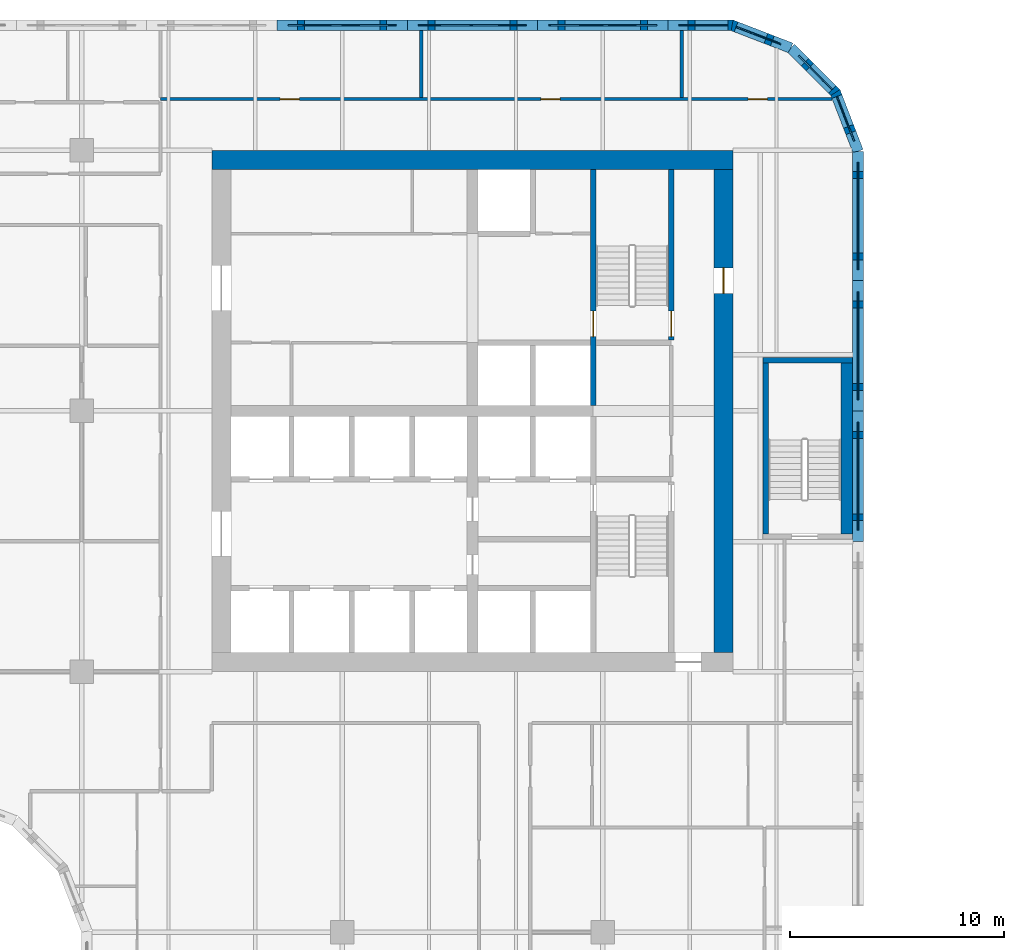
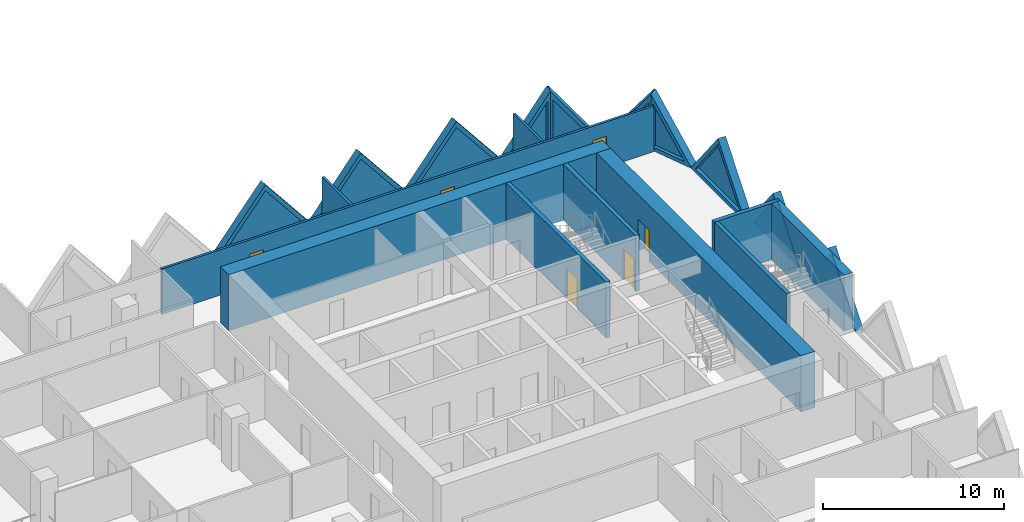
# One storey, part 10 of 19: 20 walls, 10 plates, 6 doors, 16 openings.
"""IFC4 building model written with IfcOpenShell, lengths in metres."""

from ifc_helpers import new_model, si_unit, direction, frame, frame_2d, origin, place, context, subcontext, project, spatial, polyline, rectangle, outline, extrude, faceted_brep, source, transform, mapped, material, layer, layer_set, type_object, element, fill, save


model = new_model("IFC4")

# Units and contexts
model_context = context("Model", 3, precision=1e-05, world=origin(), true_north=direction((0.0, 1.0)))
body_context = subcontext(model_context, "Body", "Model", "MODEL_VIEW")
ifc_project = project(units=[si_unit("LENGTHUNIT", "METRE"), si_unit("AREAUNIT", "SQUARE_METRE"), si_unit("VOLUMEUNIT", "CUBIC_METRE"), si_unit("PLANEANGLEUNIT", "RADIAN"), si_unit("MASSUNIT", "GRAM", prefix="KILO")], contexts=[model_context])

# Site, building, storey
site_placement = place(None, origin())
site = spatial("IfcSite", under=ifc_project, at=site_placement, CompositionType="ELEMENT")
building_placement = place(site_placement, origin())
building = spatial("IfcBuilding", under=site, at=building_placement, Name="Tessera Gate Towers", CompositionType="ELEMENT")
storey_placement = place(building_placement, frame((0.0, 0.0, 25.800048828125)))
storey = spatial("IfcBuildingStorey", under=building, at=storey_placement, Name="L05", CompositionType="ELEMENT", Elevation=25.800048828125)

# Wall, opening, door
ifc_material_1 = material(Name="Concrete C40/50", Category="concrete")
ifc_layer_1 = layer(ifc_material_1, 0.25)
ifc_layer_set_1 = layer_set([ifc_layer_1], Name="CORE ENCLOSURE WALL 250")
wall_type_1 = type_object("IfcWallType", Name="CORE ENCLOSURE WALL 250", PredefinedType="SOLIDWALL", material=ifc_layer_set_1)
wall_1_placement = place(storey_placement, frame((48.35009765625, 47.89990234375, 0.0), z_axis=(0.0, 0.0, 1.0), x_axis=(0.0, -1.0, 0.0)))
wall_1 = element("IfcWall", 1, at=wall_1_placement, inside=storey, type_object=wall_type_1, Name="L05 shaft and stair enclosure wall", PredefinedType="SOLIDWALL", context=body_context, shape_type="SweptSolid", body=[
    extrude(rectangle(XDim=11.0498046875, YDim=0.25, at=frame_2d((5.52490234375, 0.0))), origin(), (0.0, 0.0, 1.0), 3.800048828125),
])
shared_shape_1 = source(origin(), body_context, "Body", "SweptSolid", [
    extrude(rectangle(XDim=1.199951171875, YDim=2.10009765625, at=frame_2d((0.60009765625, 1.050048828125))), frame((0.0, 0.135009765625, 0.0), z_axis=(0.0, -1.0, 0.0), x_axis=(1.0, 0.0, 0.0)), (0.0, 0.0, 1.0), 0.27001953125),
])
opening_1_placement = place(wall_1_placement, frame((6.625, 0.0, 0.0)))
opening_1 = element("IfcOpeningElement", 2, at=opening_1_placement, cuts=wall_1, Name="Opening SD-ST2-1", PredefinedType="OPENING", context=body_context, shape_type="MappedRepresentation", body=[
    mapped(shared_shape_1, transform((0.0, 0.0, 0.0), scale=1.0)),
])
ifc_material_2 = material(Name="Hollow steel fire door", Category="steel")
door_type_1 = type_object("IfcDoorType", Name="CORE DOOR SD 1200x2100", OperationType="NOTDEFINED", PredefinedType="DOOR", material=ifc_material_2)
shared_shape_2 = source(origin(), body_context, "Body", "SweptSolid", [
    extrude(rectangle(XDim=1.199951171875, YDim=2.10009765625, at=frame_2d((0.60009765625, 1.050048828125))), frame((0.0, 0.02490234375, 0.0), z_axis=(0.0, -1.0, 0.0), x_axis=(1.0, 0.0, 0.0)), (0.0, 0.0, 1.0), 0.050048828125),
])
door_1_placement = place(opening_1_placement, origin())
door_1 = element("IfcDoor", 3, at=door_1_placement, inside=storey, type_object=door_type_1, Name="Stair door", OperationType="SINGLE_SWING_RIGHT", OverallHeight=2.10009765625, OverallWidth=1.199951171875, PredefinedType="DOOR", context=body_context, shape_type="MappedRepresentation", body=[
    mapped(shared_shape_2, transform((0.0, 0.0, 0.0), scale=1.0)),
])
fill(opening_1, door_1)

wall_2_placement = place(storey_placement, frame((52.0, 39.925048828125, 0.0), z_axis=(0.0, 0.0, 1.0), x_axis=(0.0, 1.0, 0.0)))
wall_2 = element("IfcWall", 4, at=wall_2_placement, inside=storey, type_object=wall_type_1, Name="L05 shaft and stair enclosure wall", PredefinedType="SOLIDWALL", context=body_context, shape_type="SweptSolid", body=[
    extrude(rectangle(XDim=7.974853515625, YDim=0.25, at=frame_2d((3.9873046875, 0.0))), origin(), (0.0, 0.0, 1.0), 3.800048828125),
])
opening_2_placement = place(wall_2_placement, frame((0.14990234375, 0.0, 0.0)))
opening_2 = element("IfcOpeningElement", 5, at=opening_2_placement, cuts=wall_2, Name="Opening SD-ST2-2", PredefinedType="OPENING", context=body_context, shape_type="MappedRepresentation", body=[
    mapped(shared_shape_1, transform((0.0, 0.0, 0.0), scale=1.0)),
])
door_2_placement = place(opening_2_placement, origin())
door_2 = element("IfcDoor", 6, at=door_2_placement, inside=storey, type_object=door_type_1, Name="Stair door", OperationType="SINGLE_SWING_LEFT", OverallHeight=2.10009765625, OverallWidth=1.199951171875, PredefinedType="DOOR", context=body_context, shape_type="MappedRepresentation", body=[
    mapped(shared_shape_2, transform((0.0, 0.0, 0.0), scale=1.0)),
])
fill(opening_2, door_2)

# Walls
wall_3_placement = place(storey_placement, frame((56.425048828125, 30.85009765625, 0.0), z_axis=(0.0, 0.0, 1.0), x_axis=(0.0, 1.0, 0.0)))
element("IfcWall", 7, at=wall_3_placement, inside=storey, type_object=wall_type_1, Name="L05 ST5 enclosure wall", PredefinedType="SOLIDWALL", context=body_context, shape_type="SweptSolid", body=[
    extrude(rectangle(XDim=8.0, YDim=0.25, at=frame_2d((4.0, 0.0))), origin(), (0.0, 0.0, 1.0), 3.800048828125),
])
wall_4_placement = place(storey_placement, frame((56.300048828125, 38.97509765625, 0.0), z_axis=(0.0, 0.0, 1.0), x_axis=(1.0, 0.0, 0.0)))
element("IfcWall", 8, at=wall_4_placement, inside=storey, type_object=wall_type_1, Name="L05 ST5 enclosure wall", PredefinedType="SOLIDWALL", context=body_context, shape_type="SweptSolid", body=[
    extrude(rectangle(XDim=4.199951171875, YDim=0.25, at=frame_2d((2.10009765625, 0.0))), origin(), (0.0, 0.0, 1.0), 3.800048828125),
])
ifc_material_3 = material(Name="Concrete C40/50", Category="concrete")
ifc_layer_2 = layer(ifc_material_3, 0.550048828125)
ifc_layer_set_2 = layer_set([ifc_layer_2], Name="CORE ENCLOSURE WALL 550")
wall_type_2 = type_object("IfcWallType", Name="CORE ENCLOSURE WALL 550", PredefinedType="SOLIDWALL", material=ifc_layer_set_2)
wall_5_placement = place(storey_placement, frame((60.22509765625, 38.85009765625, 0.0), z_axis=(0.0, 0.0, 1.0), x_axis=(0.0, -1.0, 0.0)))
element("IfcWall", 9, at=wall_5_placement, inside=storey, type_object=wall_type_2, Name="L05 ST5 enclosure wall", PredefinedType="SOLIDWALL", context=body_context, shape_type="SweptSolid", body=[
    extrude(rectangle(XDim=8.0, YDim=0.550048828125, at=frame_2d((4.0, 0.0))), origin(), (0.0, 0.0, 1.0), 3.800048828125),
])
ifc_material_4 = material(Name="Concrete C70/85", Category="concrete")
ifc_layer_3 = layer(ifc_material_4, 0.89990234375)
ifc_layer_set_3 = layer_set([ifc_layer_3], Name="CORE SHEAR WALL 900 C70/85")
wall_type_3 = type_object("IfcWallType", Name="CORE SHEAR WALL 900 C70/85", PredefinedType="SHEAR", material=ifc_layer_set_3)
wall_6_placement = place(storey_placement, frame((30.5, 48.35009765625, 0.0), z_axis=(0.0, 0.0, 1.0), x_axis=(1.0, 0.0, 0.0)))
element("IfcWall", 10, at=wall_6_placement, inside=storey, type_object=wall_type_3, Name="Core wall N L05", PredefinedType="SHEAR", context=body_context, shape_type="SweptSolid", body=[
    extrude(rectangle(XDim=24.39990234375, YDim=0.89990234375, at=frame_2d((12.199951171875, 0.0))), origin(), (0.0, 0.0, 1.0), 3.800048828125),
])

# Wall, opening, door
wall_7_placement = place(storey_placement, frame((54.449951171875, 47.89990234375, 0.0), z_axis=(0.0, 0.0, 1.0), x_axis=(0.0, -1.0, 0.0)))
wall_7 = element("IfcWall", 11, at=wall_7_placement, inside=storey, type_object=wall_type_3, Name="Core wall E L05", PredefinedType="SHEAR", context=body_context, shape_type="SweptSolid", body=[
    extrude(rectangle(XDim=22.599853515625, YDim=0.89990234375, at=frame_2d((11.2998046875, 0.0))), origin(), (0.0, 0.0, 1.0), 3.800048828125),
])
shared_shape_3 = source(origin(), body_context, "Body", "SweptSolid", [
    extrude(rectangle(XDim=1.199951171875, YDim=2.10009765625, at=frame_2d((0.60009765625, 1.050048828125))), frame((0.0, 0.4599609375, 0.0), z_axis=(0.0, -1.0, 0.0), x_axis=(1.0, 0.0, 0.0)), (0.0, 0.0, 1.0), 0.919921875),
])
opening_3_placement = place(wall_7_placement, frame((4.60009765625, 0.0, 0.0)))
opening_3 = element("IfcOpeningElement", 12, at=opening_3_placement, cuts=wall_7, Name="Opening ED-T1-06-04", PredefinedType="OPENING", context=body_context, shape_type="MappedRepresentation", body=[
    mapped(shared_shape_3, transform((0.0, 0.0, 0.0), scale=1.0)),
])
ifc_material_5 = material(Name="Hollow steel fire door", Category="steel")
door_type_2 = type_object("IfcDoorType", Name="CORE DOOR ED 1200x2100", OperationType="NOTDEFINED", PredefinedType="DOOR", material=ifc_material_5)
door_3_placement = place(opening_3_placement, origin())
door_3 = element("IfcDoor", 13, at=door_3_placement, inside=storey, type_object=door_type_2, Name="Core exit door", OperationType="SINGLE_SWING_LEFT", OverallHeight=2.10009765625, OverallWidth=1.199951171875, PredefinedType="DOOR", context=body_context, shape_type="MappedRepresentation", body=[
    mapped(shared_shape_2, transform((0.0, 0.0, 0.0), scale=1.0)),
])
fill(opening_3, door_3)

# Wall, openings, doors
ifc_material_6 = material(Name="Gypsum board on steel studs, mineral wool", Category="steel")
ifc_layer_4 = layer(ifc_material_6, 0.14990234375)
ifc_layer_set_4 = layer_set([ifc_layer_4], Name="CORRIDOR WALL 150")
wall_type_4 = type_object("IfcWallType", Name="CORRIDOR WALL 150", PredefinedType="PARTITIONING", material=ifc_layer_set_4)
wall_8_placement = place(storey_placement, frame((28.10009765625, 51.199951171875, 0.0), z_axis=(0.0, 0.0, 1.0), x_axis=(1.0, 0.0, 0.0)))
wall_8 = element("IfcWall", 14, at=wall_8_placement, inside=storey, type_object=wall_type_4, Name="T1-L05-PW-054", PredefinedType="PARTITIONING", context=body_context, shape_type="SweptSolid", body=[
    extrude(rectangle(XDim=31.438232421875, YDim=0.14990234375, at=frame_2d((15.71923828125, 0.0))), origin(), (0.0, 0.0, 1.0), 3.06689453125),
])
shared_shape_4 = source(origin(), body_context, "Body", "SweptSolid", [
    extrude(rectangle(XDim=0.89990234375, YDim=2.10009765625, at=frame_2d((0.449951171875, 1.050048828125))), frame((0.0, 0.0849609375, 0.0), z_axis=(0.0, -1.0, 0.0), x_axis=(1.0, 0.0, 0.0)), (0.0, 0.0, 1.0), 0.169921875),
])
opening_4_placement = place(wall_8_placement, frame((27.5009765625, 0.0, 0.0)))
opening_4 = element("IfcOpeningElement", 15, at=opening_4_placement, cuts=wall_8, Name="Opening D890FD60-A02-04", PredefinedType="OPENING", context=body_context, shape_type="MappedRepresentation", body=[
    mapped(shared_shape_4, transform((0.0, 0.0, 0.0), scale=1.0)),
])
opening_5_placement = place(wall_8_placement, frame((5.60009765625, 0.0, 0.0)))
opening_5 = element("IfcOpeningElement", 16, at=opening_5_placement, cuts=wall_8, Name="Opening D890FD60-A02-07", PredefinedType="OPENING", context=body_context, shape_type="MappedRepresentation", body=[
    mapped(shared_shape_4, transform((0.0, 0.0, 0.0), scale=1.0)),
])
opening_6_placement = place(wall_8_placement, frame((17.800048828125, 0.0, 0.0)))
opening_6 = element("IfcOpeningElement", 17, at=opening_6_placement, cuts=wall_8, Name="Opening D890FD60-A02-08", PredefinedType="OPENING", context=body_context, shape_type="MappedRepresentation", body=[
    mapped(shared_shape_4, transform((0.0, 0.0, 0.0), scale=1.0)),
])
ifc_material_7 = material(Name="Timber door leaf in steel frame", Category="steel")
door_type_3 = type_object("IfcDoorType", Name="CORRIDOR DOOR 900 FD60", OperationType="NOTDEFINED", PredefinedType="DOOR", material=ifc_material_7)
shared_shape_5 = source(origin(), body_context, "Body", "SweptSolid", [
    extrude(rectangle(XDim=0.89990234375, YDim=2.10009765625, at=frame_2d((0.449951171875, 1.050048828125))), frame((0.0, 0.02490234375, 0.0), z_axis=(0.0, -1.0, 0.0), x_axis=(1.0, 0.0, 0.0)), (0.0, 0.0, 1.0), 0.050048828125),
])
door_4_placement = place(opening_4_placement, origin())
door_4 = element("IfcDoor", 18, at=door_4_placement, inside=storey, type_object=door_type_3, Name="T1-L05-PD-021", OperationType="SINGLE_SWING_LEFT", OverallHeight=2.10009765625, OverallWidth=0.89990234375, PredefinedType="DOOR", context=body_context, shape_type="MappedRepresentation", body=[
    mapped(shared_shape_5, transform((0.0, 0.0, 0.0), scale=1.0)),
])
fill(opening_4, door_4)
door_5_placement = place(opening_5_placement, origin())
door_5 = element("IfcDoor", 19, at=door_5_placement, inside=storey, type_object=door_type_3, Name="T1-L05-PD-028", OperationType="SINGLE_SWING_LEFT", OverallHeight=2.10009765625, OverallWidth=0.89990234375, PredefinedType="DOOR", context=body_context, shape_type="MappedRepresentation", body=[
    mapped(shared_shape_5, transform((0.0, 0.0, 0.0), scale=1.0)),
])
fill(opening_5, door_5)
door_6_placement = place(opening_6_placement, origin())
door_6 = element("IfcDoor", 20, at=door_6_placement, inside=storey, type_object=door_type_3, Name="T1-L05-PD-030", OperationType="SINGLE_SWING_LEFT", OverallHeight=2.10009765625, OverallWidth=0.89990234375, PredefinedType="DOOR", context=body_context, shape_type="MappedRepresentation", body=[
    mapped(shared_shape_5, transform((0.0, 0.0, 0.0), scale=1.0)),
])
fill(opening_6, door_6)

# Walls
ifc_material_8 = material(Name="Gypsum board on steel studs, mineral wool", Category="steel")
ifc_layer_5 = layer(ifc_material_8, 0.14990234375)
ifc_layer_set_5 = layer_set([ifc_layer_5], Name="TENANCY WALL 150")
wall_type_5 = type_object("IfcWallType", Name="TENANCY WALL 150", PredefinedType="PARTITIONING", material=ifc_layer_set_5)
for number, where, z_axis, x_axis, name in (
    (21, (40.300048828125, 51.27587890625, 0.0), (0.0, 0.0, 1.0), (0.0, 1.0, 0.0), "T1-L05-PW-056"),
    (22, (52.5, 51.27587890625, 0.0), (0.0, 0.0, 1.0), (0.0, 1.0, 0.0), "T1-L05-PW-057"),
):
    element("IfcWall", number, at=place(storey_placement, frame(where, z_axis=z_axis, x_axis=x_axis)), inside=storey, type_object=wall_type_5, Name=name, PredefinedType="PARTITIONING", context=body_context, shape_type="SweptSolid", body=[
        extrude(rectangle(XDim=3.1240234375, YDim=0.14990234375, at=frame_2d((1.56201171875, 0.0))), origin(), (0.0, 0.0, 1.0), 3.06689453125),
    ])

# Wall, opening, plate
ifc_material_9 = material(Name="Precast concrete C60/75 white", Category="concrete")
ifc_layer_6 = layer(ifc_material_9, 0.5)
ifc_layer_set_6 = layer_set([ifc_layer_6], Name="TS3 corner tessera")
wall_type_6 = type_object("IfcWallType", Name="TS3 corner tessera", PredefinedType="SOLIDWALL", material=ifc_layer_set_6)
shared_shape_6 = source(origin(), body_context, "Body", "Brep", [
    faceted_brep([(3.050048828125, -0.25, 0.0), (0.046630859375, -0.25, 3.800048828125), (0.0, -0.25, 3.739990234375), (0.0, -0.25, 0.0), (0.09326171875, 0.25, 3.7412109375), (3.050048828125, 0.25, 0.0), (0.09326171875, 0.25, 0.0), (0.046630859375, 0.0, 3.800048828125)], [[[0, 1, 2, 3]], [[4, 5, 6]], [[5, 4, 7, 1, 0]], [[2, 1, 7]], [[6, 5, 0, 3]], [[6, 3, 2, 7, 4]]]),
])
wall_9_placement = place(storey_placement, frame((54.900146484375, 54.64990234375, 0.0), z_axis=(0.0, 0.0, 1.0), x_axis=(-1.0, 0.0, 0.0)))
wall_9 = element("IfcWall", 23, at=wall_9_placement, inside=storey, type_object=wall_type_6, Name="Precast corner tessera T1 TS3-0082", PredefinedType="SOLIDWALL", context=body_context, shape_type="MappedRepresentation", body=[
    mapped(shared_shape_6, transform((0.0, 0.0, 0.0), scale=1.0)),
])
shared_shape_7 = source(origin(), body_context, "Body", "SweptSolid", [
    extrude(outline(polyline([(2.533935546875, 0.25), (0.24658203125, 3.143798828125), (0.24658203125, 0.25), (2.533935546875, 0.25)])), frame((0.0, 0.260009765625, 0.0), z_axis=(0.0, -1.0, 0.0), x_axis=(1.0, 0.0, 0.0)), (0.0, 0.0, 1.0), 0.52001953125),
])
opening_7_placement = place(wall_9_placement, origin())
opening_7 = element("IfcOpeningElement", 24, at=opening_7_placement, cuts=wall_9, Name="Opening T1-PL1-0113", PredefinedType="OPENING", context=body_context, shape_type="MappedRepresentation", body=[
    mapped(shared_shape_7, transform((0.0, 0.0, 0.0), scale=1.0)),
])
ifc_material_10 = material(Name="Low-e laminated glass", Category="glass")
ifc_layer_7 = layer(ifc_material_10, 0.06005859375)
ifc_layer_set_7 = layer_set([ifc_layer_7], Name="PL1 triangular pane")
plate_type = type_object("IfcPlateType", Name="PL1 triangular pane", PredefinedType="SHEET", material=ifc_layer_set_7)
shared_shape_8 = source(origin(), body_context, "Body", "SweptSolid", [
    extrude(outline(polyline([(2.533935546875, 0.25), (0.24658203125, 3.143798828125), (0.24658203125, 0.25), (2.533935546875, 0.25)])), frame((0.0, 0.030029296875, 0.0), z_axis=(0.0, -1.0, 0.0), x_axis=(1.0, 0.0, 0.0)), (0.0, 0.0, 1.0), 0.06005859375),
])
plate_1_placement = place(opening_7_placement, origin())
plate_1 = element("IfcPlate", 25, at=plate_1_placement, inside=storey, type_object=plate_type, Name="Glass pane T1 PL1-0113", PredefinedType="SHEET", context=body_context, shape_type="MappedRepresentation", body=[
    mapped(shared_shape_8, transform((0.0, 0.0, 0.0), scale=1.0)),
])
fill(opening_7, plate_1)

ifc_material_11 = material(Name="Precast concrete C60/75 white", Category="concrete")
ifc_layer_8 = layer(ifc_material_11, 0.5)
ifc_layer_set_8 = layer_set([ifc_layer_8], Name="TS2 half tessera")
wall_type_7 = type_object("IfcWallType", Name="TS2 half tessera", PredefinedType="SOLIDWALL", material=ifc_layer_set_8)
shared_shape_9 = source(origin(), body_context, "Body", "Brep", [
    faceted_brep([(6.099853515625, -0.25, 0.000244140625), (3.050048828125, -0.25, 3.800048828125), (0.0, -0.25, 0.0), (6.099853515625, -0.25, 0.0), (0.0, 0.25, 0.0), (3.050048828125, 0.25, 3.800048828125), (6.099853515625, 0.25, 0.000244140625), (6.099853515625, 0.25, 0.0)], [[[0, 1, 2, 3]], [[4, 5, 6, 7]], [[6, 5, 1, 0]], [[5, 4, 2, 1]], [[4, 7, 3, 2]], [[3, 7, 6, 0]]]),
])
wall_10_placement = place(storey_placement, frame((60.75, 36.60009765625, 0.0), z_axis=(0.0, 0.0, 1.0), x_axis=(0.0, 1.0, 0.0)))
wall_10 = element("IfcWall", 26, at=wall_10_placement, inside=storey, type_object=wall_type_7, Name="Precast half tessera T1 TS2-0054", PredefinedType="SOLIDWALL", context=body_context, shape_type="MappedRepresentation", body=[
    mapped(shared_shape_9, transform((0.0, 0.0, 0.0), scale=1.0)),
])
shared_shape_10 = source(origin(), body_context, "Body", "SweptSolid", [
    extrude(outline(polyline([(5.578857421875, 0.25), (3.050048828125, 3.400634765625), (0.521240234375, 0.25), (5.578857421875, 0.25)])), frame((0.0, 0.260009765625, 0.0), z_axis=(0.0, -1.0, 0.0), x_axis=(1.0, 0.0, 0.0)), (0.0, 0.0, 1.0), 0.52001953125),
])
opening_8_placement = place(wall_10_placement, origin())
opening_8 = element("IfcOpeningElement", 27, at=opening_8_placement, cuts=wall_10, Name="Opening T1-PL1-0108", PredefinedType="OPENING", context=body_context, shape_type="MappedRepresentation", body=[
    mapped(shared_shape_10, transform((0.0, 0.0, 0.0), scale=1.0)),
])
shared_shape_11 = source(origin(), body_context, "Body", "SweptSolid", [
    extrude(outline(polyline([(5.578857421875, 0.25), (3.050048828125, 3.400634765625), (0.521240234375, 0.25), (5.578857421875, 0.25)])), frame((0.0, 0.030029296875, 0.0), z_axis=(0.0, -1.0, 0.0), x_axis=(1.0, 0.0, 0.0)), (0.0, 0.0, 1.0), 0.06005859375),
])
plate_2_placement = place(opening_8_placement, origin())
plate_2 = element("IfcPlate", 28, at=plate_2_placement, inside=storey, type_object=plate_type, Name="Glass pane T1 PL1-0108", PredefinedType="SHEET", context=body_context, shape_type="MappedRepresentation", body=[
    mapped(shared_shape_11, transform((0.0, 0.0, 0.0), scale=1.0)),
])
fill(opening_8, plate_2)

wall_11_placement = place(storey_placement, frame((39.64990234375, 54.64990234375, 0.0), z_axis=(0.0, 0.0, 1.0), x_axis=(-1.0, 0.0, 0.0)))
wall_11 = element("IfcWall", 29, at=wall_11_placement, inside=storey, type_object=wall_type_7, Name="Precast half tessera T1 TS2-0058", PredefinedType="SOLIDWALL", context=body_context, shape_type="MappedRepresentation", body=[
    mapped(shared_shape_9, transform((0.0, 0.0, 0.0), scale=1.0)),
])
opening_9_placement = place(wall_11_placement, origin())
opening_9 = element("IfcOpeningElement", 30, at=opening_9_placement, cuts=wall_11, Name="Opening T1-PL1-0116", PredefinedType="OPENING", context=body_context, shape_type="MappedRepresentation", body=[
    mapped(shared_shape_10, transform((0.0, 0.0, 0.0), scale=1.0)),
])
plate_3_placement = place(opening_9_placement, origin())
plate_3 = element("IfcPlate", 31, at=plate_3_placement, inside=storey, type_object=plate_type, Name="Glass pane T1 PL1-0116", PredefinedType="SHEET", context=body_context, shape_type="MappedRepresentation", body=[
    mapped(shared_shape_11, transform((0.0, 0.0, 0.0), scale=1.0)),
])
fill(opening_9, plate_3)

shared_shape_12 = source(origin(), body_context, "Body", "SweptSolid", [
    extrude(outline(polyline([(6.10009765625, 0.0), (3.050048828125, 3.800048828125), (0.0, 0.0), (6.10009765625, 0.0)])), frame((0.0, 0.25, 0.0), z_axis=(0.0, -1.0, 0.0), x_axis=(1.0, 0.0, 0.0)), (0.0, 0.0, 1.0), 0.5),
])
wall_12_placement = place(storey_placement, frame((60.75, 30.5, 0.0), z_axis=(0.0, 0.0, 1.0), x_axis=(0.0, 1.0, 0.0)))
wall_12 = element("IfcWall", 32, at=wall_12_placement, inside=storey, type_object=wall_type_7, Name="Precast half tessera T1 TS2-0053", PredefinedType="SOLIDWALL", context=body_context, shape_type="MappedRepresentation", body=[
    mapped(shared_shape_12, transform((0.0, 0.0, 0.0), scale=1.0)),
])
opening_10_placement = place(wall_12_placement, origin())
opening_10 = element("IfcOpeningElement", 33, at=opening_10_placement, cuts=wall_12, Name="Opening T1-PL1-0107", PredefinedType="OPENING", context=body_context, shape_type="MappedRepresentation", body=[
    mapped(shared_shape_10, transform((0.0, 0.0, 0.0), scale=1.0)),
])
plate_4_placement = place(opening_10_placement, origin())
plate_4 = element("IfcPlate", 34, at=plate_4_placement, inside=storey, type_object=plate_type, Name="Glass pane T1 PL1-0107", PredefinedType="SHEET", context=body_context, shape_type="MappedRepresentation", body=[
    mapped(shared_shape_11, transform((0.0, 0.0, 0.0), scale=1.0)),
])
fill(opening_10, plate_4)

wall_13_placement = place(storey_placement, frame((51.85009765625, 54.64990234375, 0.0), z_axis=(0.0, 0.0, 1.0), x_axis=(-1.0, 0.0, 0.0)))
wall_13 = element("IfcWall", 35, at=wall_13_placement, inside=storey, type_object=wall_type_7, Name="Precast half tessera T1 TS2-0056", PredefinedType="SOLIDWALL", context=body_context, shape_type="MappedRepresentation", body=[
    mapped(shared_shape_12, transform((0.0, 0.0, 0.0), scale=1.0)),
])
opening_11_placement = place(wall_13_placement, origin())
opening_11 = element("IfcOpeningElement", 36, at=opening_11_placement, cuts=wall_13, Name="Opening T1-PL1-0114", PredefinedType="OPENING", context=body_context, shape_type="MappedRepresentation", body=[
    mapped(shared_shape_10, transform((0.0, 0.0, 0.0), scale=1.0)),
])
plate_5_placement = place(opening_11_placement, origin())
plate_5 = element("IfcPlate", 37, at=plate_5_placement, inside=storey, type_object=plate_type, Name="Glass pane T1 PL1-0114", PredefinedType="SHEET", context=body_context, shape_type="MappedRepresentation", body=[
    mapped(shared_shape_11, transform((0.0, 0.0, 0.0), scale=1.0)),
])
fill(opening_11, plate_5)

wall_14_placement = place(storey_placement, frame((45.75, 54.64990234375, 0.0), z_axis=(0.0, 0.0, 1.0), x_axis=(-1.0, 0.0, 0.0)))
wall_14 = element("IfcWall", 38, at=wall_14_placement, inside=storey, type_object=wall_type_7, Name="Precast half tessera T1 TS2-0057", PredefinedType="SOLIDWALL", context=body_context, shape_type="MappedRepresentation", body=[
    mapped(shared_shape_12, transform((0.0, 0.0, 0.0), scale=1.0)),
])
opening_12_placement = place(wall_14_placement, origin())
opening_12 = element("IfcOpeningElement", 39, at=opening_12_placement, cuts=wall_14, Name="Opening T1-PL1-0115", PredefinedType="OPENING", context=body_context, shape_type="MappedRepresentation", body=[
    mapped(shared_shape_10, transform((0.0, 0.0, 0.0), scale=1.0)),
])
plate_6_placement = place(opening_12_placement, origin())
plate_6 = element("IfcPlate", 40, at=plate_6_placement, inside=storey, type_object=plate_type, Name="Glass pane T1 PL1-0115", PredefinedType="SHEET", context=body_context, shape_type="MappedRepresentation", body=[
    mapped(shared_shape_11, transform((0.0, 0.0, 0.0), scale=1.0)),
])
fill(opening_12, plate_6)

shared_shape_13 = source(origin(), body_context, "Body", "Brep", [
    faceted_brep([(6.053466796875, -0.25, 0.0), (3.050048828125, -0.25, 3.800048828125), (0.0, -0.25, 0.0), (0.0, 0.25, 0.0), (3.050048828125, 0.25, 3.800048828125), (6.0068359375, 0.25, 0.058837890625), (6.0068359375, 0.25, 0.0), (6.053466796875, 0.0, 0.0)], [[[0, 1, 2]], [[3, 4, 5, 6]], [[5, 4, 1, 0, 7]], [[4, 3, 2, 1]], [[3, 6, 7, 0, 2]], [[7, 6, 5]]]),
])
wall_15_placement = place(storey_placement, frame((60.75, 42.699951171875, 0.0), z_axis=(0.0, 0.0, 1.0), x_axis=(0.0, 1.0, 0.0)))
wall_15 = element("IfcWall", 41, at=wall_15_placement, inside=storey, type_object=wall_type_7, Name="Precast half tessera T1 TS2-0055", PredefinedType="SOLIDWALL", context=body_context, shape_type="MappedRepresentation", body=[
    mapped(shared_shape_13, transform((0.0, 0.0, 0.0), scale=1.0)),
])
shared_shape_14 = source(origin(), body_context, "Body", "SweptSolid", [
    extrude(outline(polyline([(5.537109375, 0.25), (3.048583984375, 3.398681640625), (0.521240234375, 0.25), (5.537109375, 0.25)])), frame((0.0, 0.260009765625, 0.0), z_axis=(0.0, -1.0, 0.0), x_axis=(1.0, 0.0, 0.0)), (0.0, 0.0, 1.0), 0.52001953125),
])
opening_13_placement = place(wall_15_placement, origin())
opening_13 = element("IfcOpeningElement", 42, at=opening_13_placement, cuts=wall_15, Name="Opening T1-PL1-0109", PredefinedType="OPENING", context=body_context, shape_type="MappedRepresentation", body=[
    mapped(shared_shape_14, transform((0.0, 0.0, 0.0), scale=1.0)),
])
shared_shape_15 = source(origin(), body_context, "Body", "SweptSolid", [
    extrude(outline(polyline([(5.537109375, 0.25), (3.048583984375, 3.398681640625), (0.521240234375, 0.25), (5.537109375, 0.25)])), frame((0.0, 0.030029296875, 0.0), z_axis=(0.0, -1.0, 0.0), x_axis=(1.0, 0.0, 0.0)), (0.0, 0.0, 1.0), 0.06005859375),
])
plate_7_placement = place(opening_13_placement, origin())
plate_7 = element("IfcPlate", 43, at=plate_7_placement, inside=storey, type_object=plate_type, Name="Glass pane T1 PL1-0109", PredefinedType="SHEET", context=body_context, shape_type="MappedRepresentation", body=[
    mapped(shared_shape_15, transform((0.0, 0.0, 0.0), scale=1.0)),
])
fill(opening_13, plate_7)

shared_shape_16 = source(origin(), body_context, "Body", "Brep", [
    faceted_brep([(3.00341796875, -0.25, 3.731689453125), (2.950439453125, -0.25, 3.800048828125), (0.0, -0.25, 0.0), (3.00341796875, -0.25, 0.0), (0.046630859375, 0.25, 0.06005859375), (2.897705078125, 0.25, 3.73193359375), (2.897705078125, 0.25, 0.0), (0.046630859375, 0.25, 0.0), (2.950439453125, 0.00048828125, 3.800048828125), (0.0, 0.0, 0.0)], [[[0, 1, 2, 3]], [[4, 5, 6, 7]], [[8, 1, 0]], [[5, 4, 9, 2, 1, 8]], [[7, 6, 3, 2, 9]], [[7, 9, 4]], [[3, 6, 5, 8, 0]]]),
])
wall_16_placement = place(storey_placement, frame((60.75, 48.75341796875, 0.0), z_axis=(0.0, 0.0, 1.0), x_axis=(-0.35992665181, 0.932980602862, 0.0)))
wall_16 = element("IfcWall", 44, at=wall_16_placement, inside=storey, type_object=wall_type_6, Name="Precast corner tessera T1 TS3-0079", PredefinedType="SOLIDWALL", context=body_context, shape_type="MappedRepresentation", body=[
    mapped(shared_shape_16, transform((0.0, 0.0, 0.0), scale=1.0)),
])
shared_shape_17 = source(origin(), body_context, "Body", "SweptSolid", [
    extrude(outline(polyline([(2.75048828125, 3.134765625), (0.5107421875, 0.25), (2.75048828125, 0.25), (2.75048828125, 3.134765625)])), frame((0.0, 0.260009765625, 0.0), z_axis=(0.0, -1.0, 0.0), x_axis=(1.0, 0.0, 0.0)), (0.0, 0.0, 1.0), 0.52001953125),
])
opening_14_placement = place(wall_16_placement, origin())
opening_14 = element("IfcOpeningElement", 45, at=opening_14_placement, cuts=wall_16, Name="Opening T1-PL1-0110", PredefinedType="OPENING", context=body_context, shape_type="MappedRepresentation", body=[
    mapped(shared_shape_17, transform((0.0, 0.0, 0.0), scale=1.0)),
])
shared_shape_18 = source(origin(), body_context, "Body", "SweptSolid", [
    extrude(outline(polyline([(2.75048828125, 3.134765625), (0.5107421875, 0.25), (2.75048828125, 0.25), (2.75048828125, 3.134765625)])), frame((0.0, 0.030029296875, 0.0), z_axis=(0.0, -1.0, 0.0), x_axis=(1.0, 0.0, 0.0)), (0.0, 0.0, 1.0), 0.06005859375),
])
plate_8_placement = place(opening_14_placement, origin())
plate_8 = element("IfcPlate", 46, at=plate_8_placement, inside=storey, type_object=plate_type, Name="Glass pane T1 PL1-0110", PredefinedType="SHEET", context=body_context, shape_type="MappedRepresentation", body=[
    mapped(shared_shape_18, transform((0.0, 0.0, 0.0), scale=1.0)),
])
fill(opening_14, plate_8)

shared_shape_19 = source(origin(), body_context, "Body", "Brep", [
    faceted_brep([(2.9970703125, -0.25, 0.0), (0.052978515625, -0.25, 3.800048828125), (0.0, -0.25, 3.73193359375), (0.0, -0.25, 0.0), (0.10595703125, 0.25, 3.731689453125), (2.944091796875, 0.25, 0.068115234375), (2.944091796875, 0.25, 0.0), (0.10595703125, 0.25, 0.0), (0.052978515625, 0.0, 3.800048828125), (2.9970703125, 0.000244140625, 0.0)], [[[0, 1, 2, 3]], [[4, 5, 6, 7]], [[5, 4, 8, 1, 0, 9]], [[2, 1, 8]], [[7, 6, 9, 0, 3]], [[7, 3, 2, 8, 4]], [[9, 6, 5]]]),
])
wall_17_placement = place(storey_placement, frame((59.7255859375, 51.46875, 0.0), z_axis=(0.0, 0.0, 1.0), x_axis=(-0.707106781187, 0.707106781187, 0.0)))
wall_17 = element("IfcWall", 47, at=wall_17_placement, inside=storey, type_object=wall_type_6, Name="Precast corner tessera T1 TS3-0080", PredefinedType="SOLIDWALL", context=body_context, shape_type="MappedRepresentation", body=[
    mapped(shared_shape_19, transform((0.0, 0.0, 0.0), scale=1.0)),
])
shared_shape_20 = source(origin(), body_context, "Body", "SweptSolid", [
    extrude(outline(polyline([(2.487060546875, 0.25), (0.2529296875, 3.133544921875), (0.2529296875, 0.25), (2.487060546875, 0.25)])), frame((0.0, 0.260009765625, 0.0), z_axis=(0.0, -1.0, 0.0), x_axis=(1.0, 0.0, 0.0)), (0.0, 0.0, 1.0), 0.52001953125),
])
opening_15_placement = place(wall_17_placement, origin())
opening_15 = element("IfcOpeningElement", 48, at=opening_15_placement, cuts=wall_17, Name="Opening T1-PL1-0111", PredefinedType="OPENING", context=body_context, shape_type="MappedRepresentation", body=[
    mapped(shared_shape_20, transform((0.0, 0.0, 0.0), scale=1.0)),
])
shared_shape_21 = source(origin(), body_context, "Body", "SweptSolid", [
    extrude(outline(polyline([(2.487060546875, 0.25), (0.2529296875, 3.133544921875), (0.2529296875, 0.25), (2.487060546875, 0.25)])), frame((0.0, 0.030029296875, 0.0), z_axis=(0.0, -1.0, 0.0), x_axis=(1.0, 0.0, 0.0)), (0.0, 0.0, 1.0), 0.06005859375),
])
plate_9_placement = place(opening_15_placement, origin())
plate_9 = element("IfcPlate", 49, at=plate_9_placement, inside=storey, type_object=plate_type, Name="Glass pane T1 PL1-0111", PredefinedType="SHEET", context=body_context, shape_type="MappedRepresentation", body=[
    mapped(shared_shape_21, transform((0.0, 0.0, 0.0), scale=1.0)),
])
fill(opening_15, plate_9)

shared_shape_22 = source(origin(), body_context, "Body", "Brep", [
    faceted_brep([(2.9970703125, -0.25, 3.740966796875), (2.950439453125, -0.25, 3.800048828125), (0.0, -0.25, 0.0), (2.9970703125, -0.25, 0.0), (0.052978515625, 0.25, 0.068115234375), (2.904052734375, 0.25, 3.740234375), (2.904052734375, 0.25, 0.0), (0.052978515625, 0.25, 0.0), (2.950439453125, 0.00048828125, 3.800048828125), (0.0, 0.0, 0.0)], [[[0, 1, 2, 3]], [[4, 5, 6, 7]], [[8, 1, 0]], [[5, 4, 9, 2, 1, 8]], [[7, 6, 3, 2, 9]], [[7, 9, 4]], [[3, 6, 5, 8, 0]]]),
])
wall_18_placement = place(storey_placement, frame((57.606201171875, 53.588134765625, 0.0), z_axis=(0.0, 0.0, 1.0), x_axis=(-0.932990326376, 0.359901446078, 0.0)))
wall_18 = element("IfcWall", 50, at=wall_18_placement, inside=storey, type_object=wall_type_6, Name="Precast corner tessera T1 TS3-0081", PredefinedType="SOLIDWALL", context=body_context, shape_type="MappedRepresentation", body=[
    mapped(shared_shape_22, transform((0.0, 0.0, 0.0), scale=1.0)),
])
opening_16_placement = place(wall_18_placement, origin())
opening_16 = element("IfcOpeningElement", 51, at=opening_16_placement, cuts=wall_18, Name="Opening T1-PL1-0112", PredefinedType="OPENING", context=body_context, shape_type="MappedRepresentation", body=[
    mapped(shared_shape_17, transform((0.0, 0.0, 0.0), scale=1.0)),
])
plate_10_placement = place(opening_16_placement, origin())
plate_10 = element("IfcPlate", 52, at=plate_10_placement, inside=storey, type_object=plate_type, Name="Glass pane T1 PL1-0112", PredefinedType="SHEET", context=body_context, shape_type="MappedRepresentation", body=[
    mapped(shared_shape_18, transform((0.0, 0.0, 0.0), scale=1.0)),
])
fill(opening_16, plate_10)

save(model, "model.ifc")
